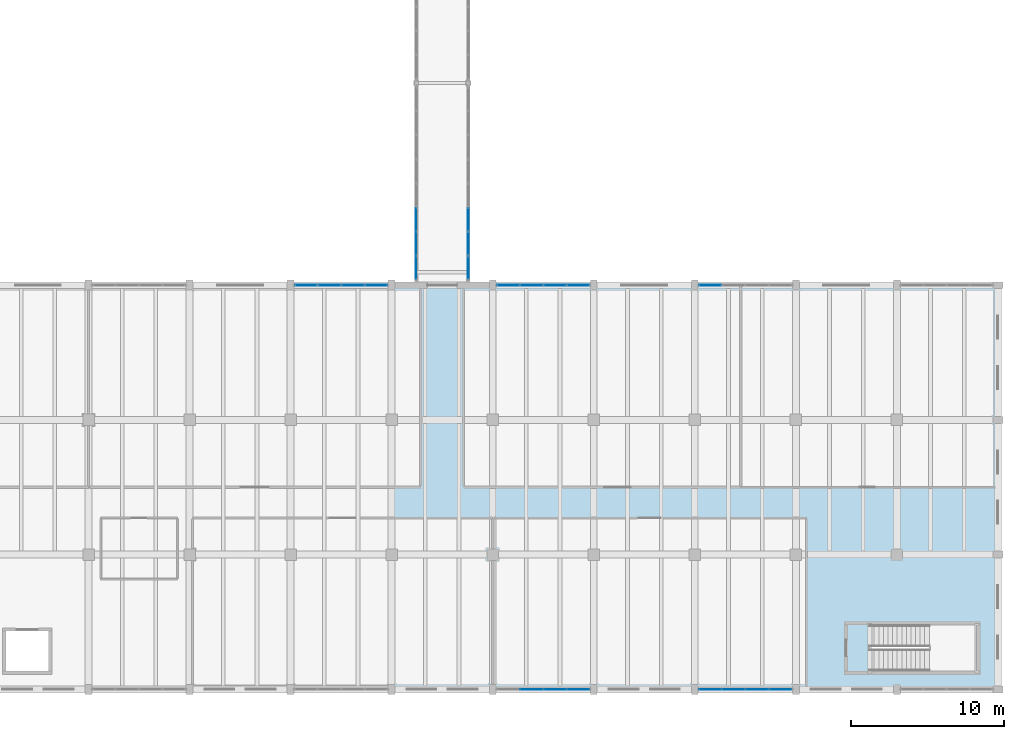
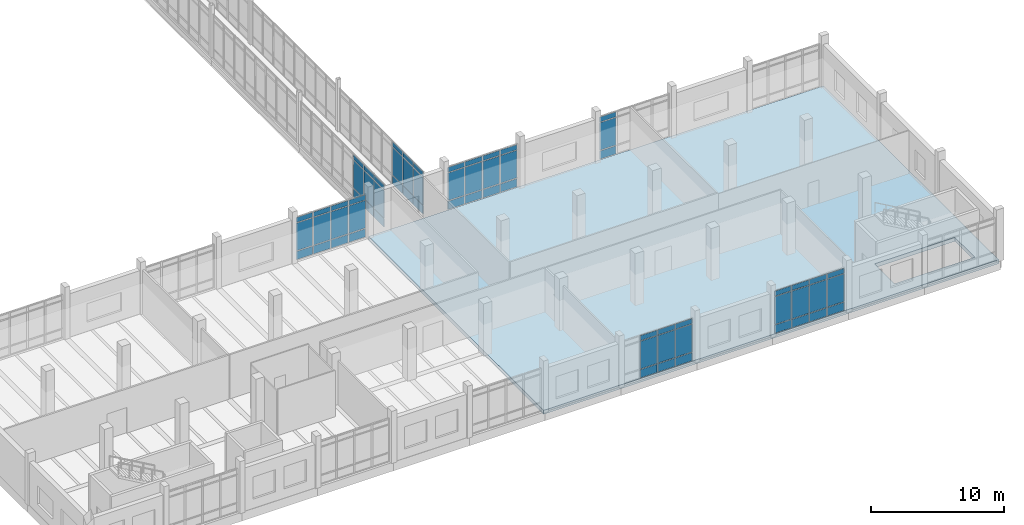
# One storey, part 73 of 125: 66 plates, 1 slab, 7 elements without a shape of their own.
"""IFC4 building model written with IfcOpenShell, lengths in metres."""

from ifc_helpers import new_model, si_unit, direction, frame, origin, origin_2d, place, context, subcontext, project, spatial, polyline, rectangle, outline, extrude, material, layer, layer_set, type_object, element, aggregate, save


model = new_model("IFC4")

# Units and contexts
model_context = context("Model", 3, precision=1e-05, world=origin(), true_north=direction((0.0, 1.0)))
body_context = subcontext(model_context, "Body", "Model", "MODEL_VIEW")
ifc_project = project(units=[si_unit("LENGTHUNIT", "METRE"), si_unit("AREAUNIT", "SQUARE_METRE"), si_unit("VOLUMEUNIT", "CUBIC_METRE"), si_unit("PLANEANGLEUNIT", "RADIAN"), si_unit("MASSUNIT", "GRAM", prefix="KILO")], contexts=[model_context])

# Site, building, storey
site_placement = place(None, origin())
site = spatial("IfcSite", under=ifc_project, at=site_placement, CompositionType="ELEMENT")
building_placement = place(site_placement, origin())
building = spatial("IfcBuilding", under=site, at=building_placement, Name="Dornvale Research Institute", CompositionType="ELEMENT")
storey_placement = place(building_placement, frame((0.0, 0.0, 5.39990234375)))
storey = spatial("IfcBuildingStorey", under=building, at=storey_placement, Name="L01", CompositionType="ELEMENT", Elevation=5.39990234375)

# Curtain wall, plates
ifc_material_1 = material(Name="Low-E Argon Double Insulating Glazing Unit", Category="glass")
curtain_wall_type_1 = type_object("IfcCurtainWallType", Name="UnitisedCurtainWall_V3_6150x4000", PredefinedType="USERDEFINED", material=ifc_material_1)
curtain_wall_1_placement = place(storey_placement, origin())
curtain_wall_1 = element("IfcCurtainWall", 1, at=curtain_wall_1_placement, inside=storey, type_object=curtain_wall_type_1, Name="L01 V3 unitised curtain wall CW-06 #32", ObjectType="UNITISED CURTAIN WALL", PredefinedType="USERDEFINED")
ifc_material_2 = material(Name="Insulated Ceramic-Frit Spandrel Glass Panel", Category="glass")
ifc_layer_1 = layer(ifc_material_2, 0.0419921875)
ifc_layer_set_1 = layer_set([ifc_layer_1], Name="Insulated Ceramic-Frit Spandrel Glass Panel")
plate_type_1 = type_object("IfcPlateType", Name="CurtainPanel_Spandrel_42", PredefinedType="CURTAIN_PANEL", material=ifc_layer_set_1)
plate_1_placement = place(storey_placement, frame((133.010009765625, 26.39990234375, 0.065185546875), z_axis=(0.0, 0.0, 1.0), x_axis=(1.0, 0.0, 0.0)))
plate_1 = element("IfcPlate", 2, at=plate_1_placement, type_object=plate_type_1, Name="CW-06 panel 1.1", PredefinedType="CURTAIN_PANEL", context=body_context, shape_type="SweptSolid", body=[
    extrude(rectangle(XDim=1.43994140625, YDim=0.0419921875, at=origin_2d()), origin(), (0.0, 0.0, 1.0), 0.75244140625),
])
plate_2_placement = place(storey_placement, frame((134.53125, 26.39990234375, 0.065185546875), z_axis=(0.0, 0.0, 1.0), x_axis=(1.0, 0.0, 0.0)))
plate_2 = element("IfcPlate", 3, at=plate_2_placement, type_object=plate_type_1, Name="CW-06 panel 2.1", PredefinedType="CURTAIN_PANEL", context=body_context, shape_type="SweptSolid", body=[
    extrude(rectangle(XDim=1.472412109375, YDim=0.0419921875, at=origin_2d()), origin(), (0.0, 0.0, 1.0), 0.75244140625),
])
plate_3_placement = place(storey_placement, frame((136.06884765625, 26.39990234375, 0.065185546875), z_axis=(0.0, 0.0, 1.0), x_axis=(1.0, 0.0, 0.0)))
plate_3 = element("IfcPlate", 4, at=plate_3_placement, type_object=plate_type_1, Name="CW-06 panel 3.1", PredefinedType="CURTAIN_PANEL", context=body_context, shape_type="SweptSolid", body=[
    extrude(rectangle(XDim=1.472412109375, YDim=0.0419921875, at=origin_2d()), origin(), (0.0, 0.0, 1.0), 0.75244140625),
])
plate_4_placement = place(storey_placement, frame((137.590087890625, 26.39990234375, 0.065185546875), z_axis=(0.0, 0.0, 1.0), x_axis=(1.0, 0.0, 0.0)))
plate_4 = element("IfcPlate", 5, at=plate_4_placement, type_object=plate_type_1, Name="CW-06 panel 4.1", PredefinedType="CURTAIN_PANEL", context=body_context, shape_type="SweptSolid", body=[
    extrude(rectangle(XDim=1.43994140625, YDim=0.0419921875, at=origin_2d()), origin(), (0.0, 0.0, 1.0), 0.75244140625),
])

curtain_wall_2_placement = place(storey_placement, origin())
curtain_wall_2 = element("IfcCurtainWall", 6, at=curtain_wall_2_placement, inside=storey, type_object=curtain_wall_type_1, Name="L01 V3 unitised curtain wall CW-06 #33", ObjectType="UNITISED CURTAIN WALL", PredefinedType="USERDEFINED")
plate_5_placement = place(storey_placement, frame((146.2099609375, 26.39990234375, 0.065185546875), z_axis=(0.0, 0.0, 1.0), x_axis=(1.0, 0.0, 0.0)))
plate_5 = element("IfcPlate", 7, at=plate_5_placement, type_object=plate_type_1, Name="CW-06 panel 1.1", PredefinedType="CURTAIN_PANEL", context=body_context, shape_type="SweptSolid", body=[
    extrude(rectangle(XDim=1.43994140625, YDim=0.0419921875, at=origin_2d()), origin(), (0.0, 0.0, 1.0), 0.75244140625),
])
plate_6_placement = place(storey_placement, frame((147.731201171875, 26.39990234375, 0.065185546875), z_axis=(0.0, 0.0, 1.0), x_axis=(1.0, 0.0, 0.0)))
plate_6 = element("IfcPlate", 8, at=plate_6_placement, type_object=plate_type_1, Name="CW-06 panel 2.1", PredefinedType="CURTAIN_PANEL", context=body_context, shape_type="SweptSolid", body=[
    extrude(rectangle(XDim=1.472412109375, YDim=0.0419921875, at=origin_2d()), origin(), (0.0, 0.0, 1.0), 0.75244140625),
])
plate_7_placement = place(storey_placement, frame((149.268798828125, 26.39990234375, 0.065185546875), z_axis=(0.0, 0.0, 1.0), x_axis=(1.0, 0.0, 0.0)))
plate_7 = element("IfcPlate", 9, at=plate_7_placement, type_object=plate_type_1, Name="CW-06 panel 3.1", PredefinedType="CURTAIN_PANEL", context=body_context, shape_type="SweptSolid", body=[
    extrude(rectangle(XDim=1.472412109375, YDim=0.0419921875, at=origin_2d()), origin(), (0.0, 0.0, 1.0), 0.75244140625),
])
plate_8_placement = place(storey_placement, frame((150.7900390625, 26.39990234375, 0.065185546875), z_axis=(0.0, 0.0, 1.0), x_axis=(1.0, 0.0, 0.0)))
plate_8 = element("IfcPlate", 10, at=plate_8_placement, type_object=plate_type_1, Name="CW-06 panel 4.1", PredefinedType="CURTAIN_PANEL", context=body_context, shape_type="SweptSolid", body=[
    extrude(rectangle(XDim=1.43994140625, YDim=0.0419921875, at=origin_2d()), origin(), (0.0, 0.0, 1.0), 0.75244140625),
])

# Curtain wall, plate
curtain_wall_3_placement = place(storey_placement, origin())
curtain_wall_3 = element("IfcCurtainWall", 11, at=curtain_wall_3_placement, inside=storey, type_object=curtain_wall_type_1, Name="L01 V3 unitised curtain wall CW-06 #34", ObjectType="UNITISED CURTAIN WALL", PredefinedType="USERDEFINED")
plate_9_placement = place(storey_placement, frame((159.409912109375, 26.39990234375, 0.065185546875), z_axis=(0.0, 0.0, 1.0), x_axis=(1.0, 0.0, 0.0)))
plate_9 = element("IfcPlate", 12, at=plate_9_placement, type_object=plate_type_1, Name="CW-06 panel 1.1", PredefinedType="CURTAIN_PANEL", context=body_context, shape_type="SweptSolid", body=[
    extrude(rectangle(XDim=1.43994140625, YDim=0.0419921875, at=origin_2d()), origin(), (0.0, 0.0, 1.0), 0.75244140625),
])

# Curtain wall, plates
curtain_wall_4_placement = place(storey_placement, origin())
curtain_wall_4 = element("IfcCurtainWall", 13, at=curtain_wall_4_placement, inside=storey, type_object=curtain_wall_type_1, Name="L01 V3 unitised curtain wall CW-06 #37", ObjectType="UNITISED CURTAIN WALL", PredefinedType="USERDEFINED")
plate_10_placement = place(storey_placement, frame((163.989990234375, 0.0, 0.065185546875), z_axis=(0.0, 0.0, 1.0), x_axis=(-1.0, 0.0, 0.0)))
plate_10 = element("IfcPlate", 14, at=plate_10_placement, type_object=plate_type_1, Name="CW-06 panel 1.1", PredefinedType="CURTAIN_PANEL", context=body_context, shape_type="SweptSolid", body=[
    extrude(rectangle(XDim=1.43994140625, YDim=0.0419921875, at=origin_2d()), origin(), (0.0, 0.0, 1.0), 0.75244140625),
])
plate_11_placement = place(storey_placement, frame((162.46875, 0.0, 0.065185546875), z_axis=(0.0, 0.0, 1.0), x_axis=(-1.0, 0.0, 0.0)))
plate_11 = element("IfcPlate", 15, at=plate_11_placement, type_object=plate_type_1, Name="CW-06 panel 2.1", PredefinedType="CURTAIN_PANEL", context=body_context, shape_type="SweptSolid", body=[
    extrude(rectangle(XDim=1.472412109375, YDim=0.0419921875, at=origin_2d()), origin(), (0.0, 0.0, 1.0), 0.75244140625),
])
plate_12_placement = place(storey_placement, frame((160.93115234375, 0.0, 0.065185546875), z_axis=(0.0, 0.0, 1.0), x_axis=(-1.0, 0.0, 0.0)))
plate_12 = element("IfcPlate", 16, at=plate_12_placement, type_object=plate_type_1, Name="CW-06 panel 3.1", PredefinedType="CURTAIN_PANEL", context=body_context, shape_type="SweptSolid", body=[
    extrude(rectangle(XDim=1.472412109375, YDim=0.0419921875, at=origin_2d()), origin(), (0.0, 0.0, 1.0), 0.75244140625),
])
plate_13_placement = place(storey_placement, frame((159.409912109375, 0.0, 0.065185546875), z_axis=(0.0, 0.0, 1.0), x_axis=(-1.0, 0.0, 0.0)))
plate_13 = element("IfcPlate", 17, at=plate_13_placement, type_object=plate_type_1, Name="CW-06 panel 4.1", PredefinedType="CURTAIN_PANEL", context=body_context, shape_type="SweptSolid", body=[
    extrude(rectangle(XDim=1.43994140625, YDim=0.0419921875, at=origin_2d()), origin(), (0.0, 0.0, 1.0), 0.75244140625),
])

curtain_wall_5_placement = place(storey_placement, origin())
curtain_wall_5 = element("IfcCurtainWall", 18, at=curtain_wall_5_placement, inside=storey, type_object=curtain_wall_type_1, Name="L01 V3 unitised curtain wall CW-06 #38", ObjectType="UNITISED CURTAIN WALL", PredefinedType="USERDEFINED")
plate_14_placement = place(storey_placement, frame((150.7900390625, 0.0, 0.065185546875), z_axis=(0.0, 0.0, 1.0), x_axis=(-1.0, 0.0, 0.0)))
plate_14 = element("IfcPlate", 19, at=plate_14_placement, type_object=plate_type_1, Name="CW-06 panel 1.1", PredefinedType="CURTAIN_PANEL", context=body_context, shape_type="SweptSolid", body=[
    extrude(rectangle(XDim=1.43994140625, YDim=0.0419921875, at=origin_2d()), origin(), (0.0, 0.0, 1.0), 0.75244140625),
])
plate_15_placement = place(storey_placement, frame((149.268798828125, 0.0, 0.065185546875), z_axis=(0.0, 0.0, 1.0), x_axis=(-1.0, 0.0, 0.0)))
plate_15 = element("IfcPlate", 20, at=plate_15_placement, type_object=plate_type_1, Name="CW-06 panel 2.1", PredefinedType="CURTAIN_PANEL", context=body_context, shape_type="SweptSolid", body=[
    extrude(rectangle(XDim=1.472412109375, YDim=0.0419921875, at=origin_2d()), origin(), (0.0, 0.0, 1.0), 0.75244140625),
])
plate_16_placement = place(storey_placement, frame((147.731201171875, 0.0, 0.065185546875), z_axis=(0.0, 0.0, 1.0), x_axis=(-1.0, 0.0, 0.0)))
plate_16 = element("IfcPlate", 21, at=plate_16_placement, type_object=plate_type_1, Name="CW-06 panel 3.1", PredefinedType="CURTAIN_PANEL", context=body_context, shape_type="SweptSolid", body=[
    extrude(rectangle(XDim=1.472412109375, YDim=0.0419921875, at=origin_2d()), origin(), (0.0, 0.0, 1.0), 0.75244140625),
])

ifc_material_3 = material(Name="Low-E Argon Double Insulating Glazing Unit", Category="glass")
curtain_wall_type_2 = type_object("IfcCurtainWallType", Name="UnitisedCurtainWall_V2_12600x4000", PredefinedType="USERDEFINED", material=ifc_material_3)
curtain_wall_6_placement = place(storey_placement, origin())
curtain_wall_6 = element("IfcCurtainWall", 22, at=curtain_wall_6_placement, inside=storey, type_object=curtain_wall_type_2, Name="L01 V2 unitised curtain wall CW-41 #231", ObjectType="UNITISED CURTAIN WALL", PredefinedType="USERDEFINED")
plate_17_placement = place(storey_placement, frame((140.199951171875, 27.5537109375, 0.065185546875), z_axis=(0.0, 0.0, 1.0), x_axis=(0.0, 1.0, 0.0)))
plate_17 = element("IfcPlate", 23, at=plate_17_placement, type_object=plate_type_1, Name="CW-41 panel 1.1", PredefinedType="CURTAIN_PANEL", context=body_context, shape_type="SweptSolid", body=[
    extrude(rectangle(XDim=1.4775390625, YDim=0.0419921875, at=origin_2d()), origin(), (0.0, 0.0, 1.0), 0.75244140625),
])
plate_18_placement = place(storey_placement, frame((140.199951171875, 29.112548828125, 0.065185546875), z_axis=(0.0, 0.0, 1.0), x_axis=(0.0, 1.0, 0.0)))
plate_18 = element("IfcPlate", 24, at=plate_18_placement, type_object=plate_type_1, Name="CW-41 panel 2.1", PredefinedType="CURTAIN_PANEL", context=body_context, shape_type="SweptSolid", body=[
    extrude(rectangle(XDim=1.510009765625, YDim=0.0419921875, at=origin_2d()), origin(), (0.0, 0.0, 1.0), 0.75244140625),
])
plate_19_placement = place(storey_placement, frame((140.199951171875, 30.6875, 0.065185546875), z_axis=(0.0, 0.0, 1.0), x_axis=(0.0, 1.0, 0.0)))
plate_19 = element("IfcPlate", 25, at=plate_19_placement, type_object=plate_type_1, Name="CW-41 panel 3.1", PredefinedType="CURTAIN_PANEL", context=body_context, shape_type="SweptSolid", body=[
    extrude(rectangle(XDim=1.510009765625, YDim=0.0419921875, at=origin_2d()), origin(), (0.0, 0.0, 1.0), 0.75244140625),
])

curtain_wall_7_placement = place(storey_placement, origin())
curtain_wall_7 = element("IfcCurtainWall", 26, at=curtain_wall_7_placement, inside=storey, type_object=curtain_wall_type_2, Name="L01 V2 unitised curtain wall CW-41 #232", ObjectType="UNITISED CURTAIN WALL", PredefinedType="USERDEFINED")
plate_20_placement = place(storey_placement, frame((143.60009765625, 30.6875, 0.065185546875), z_axis=(0.0, 0.0, 1.0), x_axis=(0.0, -1.0, 0.0)))
plate_20 = element("IfcPlate", 27, at=plate_20_placement, type_object=plate_type_1, Name="CW-41 panel 6.1", PredefinedType="CURTAIN_PANEL", context=body_context, shape_type="SweptSolid", body=[
    extrude(rectangle(XDim=1.510009765625, YDim=0.0419921875, at=origin_2d()), origin(), (0.0, 0.0, 1.0), 0.75244140625),
])
plate_21_placement = place(storey_placement, frame((143.60009765625, 29.112548828125, 0.065185546875), z_axis=(0.0, 0.0, 1.0), x_axis=(0.0, -1.0, 0.0)))
plate_21 = element("IfcPlate", 28, at=plate_21_placement, type_object=plate_type_1, Name="CW-41 panel 7.1", PredefinedType="CURTAIN_PANEL", context=body_context, shape_type="SweptSolid", body=[
    extrude(rectangle(XDim=1.510009765625, YDim=0.0419921875, at=origin_2d()), origin(), (0.0, 0.0, 1.0), 0.75244140625),
])
plate_22_placement = place(storey_placement, frame((143.60009765625, 27.5537109375, 0.065185546875), z_axis=(0.0, 0.0, 1.0), x_axis=(0.0, -1.0, 0.0)))
plate_22 = element("IfcPlate", 29, at=plate_22_placement, type_object=plate_type_1, Name="CW-41 panel 8.1", PredefinedType="CURTAIN_PANEL", context=body_context, shape_type="SweptSolid", body=[
    extrude(rectangle(XDim=1.4775390625, YDim=0.0419921875, at=origin_2d()), origin(), (0.0, 0.0, 1.0), 0.75244140625),
])

# Plate
ifc_material_4 = material(Name="Low-E Argon Double Insulating Glazing Unit", Category="glass")
ifc_layer_2 = layer(ifc_material_4, 0.028076171875)
ifc_layer_set_2 = layer_set([ifc_layer_2], Name="Low-E Argon Double Insulating Glazing Unit")
plate_type_2 = type_object("IfcPlateType", Name="CurtainPanel_Vision_28", PredefinedType="CURTAIN_PANEL", material=ifc_layer_set_2)
plate_23_placement = place(storey_placement, frame((133.010009765625, 26.39990234375, 0.8828125), z_axis=(0.0, 0.0, 1.0), x_axis=(1.0, 0.0, 0.0)))
plate_23 = element("IfcPlate", 30, at=plate_23_placement, type_object=plate_type_2, Name="CW-06 panel 1.2", PredefinedType="CURTAIN_PANEL", context=body_context, shape_type="SweptSolid", body=[
    extrude(rectangle(XDim=1.43994140625, YDim=0.028076171875, at=origin_2d()), origin(), (0.0, 0.0, 1.0), 2.534912109375),
])

plate_24_placement = place(storey_placement, frame((133.010009765625, 26.39990234375, 3.482421875), z_axis=(0.0, 0.0, 1.0), x_axis=(1.0, 0.0, 0.0)))
plate_24 = element("IfcPlate", 31, at=plate_24_placement, type_object=plate_type_2, Name="CW-06 panel 1.3", PredefinedType="CURTAIN_PANEL", context=body_context, shape_type="SweptSolid", body=[
    extrude(rectangle(XDim=1.43994140625, YDim=0.028076171875, at=origin_2d()), origin(), (0.0, 0.0, 1.0), 0.452392578125),
])

plate_25_placement = place(storey_placement, frame((134.53125, 26.39990234375, 0.8828125), z_axis=(0.0, 0.0, 1.0), x_axis=(1.0, 0.0, 0.0)))
plate_25 = element("IfcPlate", 32, at=plate_25_placement, type_object=plate_type_2, Name="CW-06 panel 2.2", PredefinedType="CURTAIN_PANEL", context=body_context, shape_type="SweptSolid", body=[
    extrude(rectangle(XDim=1.472412109375, YDim=0.028076171875, at=origin_2d()), origin(), (0.0, 0.0, 1.0), 2.534912109375),
])

plate_26_placement = place(storey_placement, frame((134.53125, 26.39990234375, 3.482421875), z_axis=(0.0, 0.0, 1.0), x_axis=(1.0, 0.0, 0.0)))
plate_26 = element("IfcPlate", 33, at=plate_26_placement, type_object=plate_type_2, Name="CW-06 panel 2.3", PredefinedType="CURTAIN_PANEL", context=body_context, shape_type="SweptSolid", body=[
    extrude(rectangle(XDim=1.472412109375, YDim=0.028076171875, at=origin_2d()), origin(), (0.0, 0.0, 1.0), 0.452392578125),
])

plate_27_placement = place(storey_placement, frame((136.06884765625, 26.39990234375, 0.8828125), z_axis=(0.0, 0.0, 1.0), x_axis=(1.0, 0.0, 0.0)))
plate_27 = element("IfcPlate", 34, at=plate_27_placement, type_object=plate_type_2, Name="CW-06 panel 3.2", PredefinedType="CURTAIN_PANEL", context=body_context, shape_type="SweptSolid", body=[
    extrude(rectangle(XDim=1.472412109375, YDim=0.028076171875, at=origin_2d()), origin(), (0.0, 0.0, 1.0), 2.534912109375),
])

plate_28_placement = place(storey_placement, frame((136.06884765625, 26.39990234375, 3.482421875), z_axis=(0.0, 0.0, 1.0), x_axis=(1.0, 0.0, 0.0)))
plate_28 = element("IfcPlate", 35, at=plate_28_placement, type_object=plate_type_2, Name="CW-06 panel 3.3", PredefinedType="CURTAIN_PANEL", context=body_context, shape_type="SweptSolid", body=[
    extrude(rectangle(XDim=1.472412109375, YDim=0.028076171875, at=origin_2d()), origin(), (0.0, 0.0, 1.0), 0.452392578125),
])

plate_29_placement = place(storey_placement, frame((137.590087890625, 26.39990234375, 0.8828125), z_axis=(0.0, 0.0, 1.0), x_axis=(1.0, 0.0, 0.0)))
plate_29 = element("IfcPlate", 36, at=plate_29_placement, type_object=plate_type_2, Name="CW-06 panel 4.2", PredefinedType="CURTAIN_PANEL", context=body_context, shape_type="SweptSolid", body=[
    extrude(rectangle(XDim=1.43994140625, YDim=0.028076171875, at=origin_2d()), origin(), (0.0, 0.0, 1.0), 2.534912109375),
])

plate_30_placement = place(storey_placement, frame((137.590087890625, 26.39990234375, 3.482421875), z_axis=(0.0, 0.0, 1.0), x_axis=(1.0, 0.0, 0.0)))
plate_30 = element("IfcPlate", 37, at=plate_30_placement, type_object=plate_type_2, Name="CW-06 panel 4.3", PredefinedType="CURTAIN_PANEL", context=body_context, shape_type="SweptSolid", body=[
    extrude(rectangle(XDim=1.43994140625, YDim=0.028076171875, at=origin_2d()), origin(), (0.0, 0.0, 1.0), 0.452392578125),
])

aggregate(curtain_wall_1, [plate_1, plate_23, plate_24, plate_2, plate_25, plate_26, plate_3, plate_27, plate_28, plate_4, plate_29, plate_30])

plate_31_placement = place(storey_placement, frame((146.2099609375, 26.39990234375, 0.8828125), z_axis=(0.0, 0.0, 1.0), x_axis=(1.0, 0.0, 0.0)))
plate_31 = element("IfcPlate", 38, at=plate_31_placement, type_object=plate_type_2, Name="CW-06 panel 1.2", PredefinedType="CURTAIN_PANEL", context=body_context, shape_type="SweptSolid", body=[
    extrude(rectangle(XDim=1.43994140625, YDim=0.028076171875, at=origin_2d()), origin(), (0.0, 0.0, 1.0), 2.534912109375),
])

plate_32_placement = place(storey_placement, frame((146.2099609375, 26.39990234375, 3.482421875), z_axis=(0.0, 0.0, 1.0), x_axis=(1.0, 0.0, 0.0)))
plate_32 = element("IfcPlate", 39, at=plate_32_placement, type_object=plate_type_2, Name="CW-06 panel 1.3", PredefinedType="CURTAIN_PANEL", context=body_context, shape_type="SweptSolid", body=[
    extrude(rectangle(XDim=1.43994140625, YDim=0.028076171875, at=origin_2d()), origin(), (0.0, 0.0, 1.0), 0.452392578125),
])

plate_33_placement = place(storey_placement, frame((147.731201171875, 26.39990234375, 0.8828125), z_axis=(0.0, 0.0, 1.0), x_axis=(1.0, 0.0, 0.0)))
plate_33 = element("IfcPlate", 40, at=plate_33_placement, type_object=plate_type_2, Name="CW-06 panel 2.2", PredefinedType="CURTAIN_PANEL", context=body_context, shape_type="SweptSolid", body=[
    extrude(rectangle(XDim=1.472412109375, YDim=0.028076171875, at=origin_2d()), origin(), (0.0, 0.0, 1.0), 2.534912109375),
])

plate_34_placement = place(storey_placement, frame((147.731201171875, 26.39990234375, 3.482421875), z_axis=(0.0, 0.0, 1.0), x_axis=(1.0, 0.0, 0.0)))
plate_34 = element("IfcPlate", 41, at=plate_34_placement, type_object=plate_type_2, Name="CW-06 panel 2.3", PredefinedType="CURTAIN_PANEL", context=body_context, shape_type="SweptSolid", body=[
    extrude(rectangle(XDim=1.472412109375, YDim=0.028076171875, at=origin_2d()), origin(), (0.0, 0.0, 1.0), 0.452392578125),
])

plate_35_placement = place(storey_placement, frame((149.268798828125, 26.39990234375, 0.8828125), z_axis=(0.0, 0.0, 1.0), x_axis=(1.0, 0.0, 0.0)))
plate_35 = element("IfcPlate", 42, at=plate_35_placement, type_object=plate_type_2, Name="CW-06 panel 3.2", PredefinedType="CURTAIN_PANEL", context=body_context, shape_type="SweptSolid", body=[
    extrude(rectangle(XDim=1.472412109375, YDim=0.028076171875, at=origin_2d()), origin(), (0.0, 0.0, 1.0), 2.534912109375),
])

plate_36_placement = place(storey_placement, frame((149.268798828125, 26.39990234375, 3.482421875), z_axis=(0.0, 0.0, 1.0), x_axis=(1.0, 0.0, 0.0)))
plate_36 = element("IfcPlate", 43, at=plate_36_placement, type_object=plate_type_2, Name="CW-06 panel 3.3", PredefinedType="CURTAIN_PANEL", context=body_context, shape_type="SweptSolid", body=[
    extrude(rectangle(XDim=1.472412109375, YDim=0.028076171875, at=origin_2d()), origin(), (0.0, 0.0, 1.0), 0.452392578125),
])

plate_37_placement = place(storey_placement, frame((150.7900390625, 26.39990234375, 0.8828125), z_axis=(0.0, 0.0, 1.0), x_axis=(1.0, 0.0, 0.0)))
plate_37 = element("IfcPlate", 44, at=plate_37_placement, type_object=plate_type_2, Name="CW-06 panel 4.2", PredefinedType="CURTAIN_PANEL", context=body_context, shape_type="SweptSolid", body=[
    extrude(rectangle(XDim=1.43994140625, YDim=0.028076171875, at=origin_2d()), origin(), (0.0, 0.0, 1.0), 2.534912109375),
])

plate_38_placement = place(storey_placement, frame((150.7900390625, 26.39990234375, 3.482421875), z_axis=(0.0, 0.0, 1.0), x_axis=(1.0, 0.0, 0.0)))
plate_38 = element("IfcPlate", 45, at=plate_38_placement, type_object=plate_type_2, Name="CW-06 panel 4.3", PredefinedType="CURTAIN_PANEL", context=body_context, shape_type="SweptSolid", body=[
    extrude(rectangle(XDim=1.43994140625, YDim=0.028076171875, at=origin_2d()), origin(), (0.0, 0.0, 1.0), 0.452392578125),
])

aggregate(curtain_wall_2, [plate_5, plate_31, plate_32, plate_6, plate_33, plate_34, plate_7, plate_35, plate_36, plate_8, plate_37, plate_38])

plate_39_placement = place(storey_placement, frame((159.409912109375, 26.39990234375, 0.8828125), z_axis=(0.0, 0.0, 1.0), x_axis=(1.0, 0.0, 0.0)))
plate_39 = element("IfcPlate", 46, at=plate_39_placement, type_object=plate_type_2, Name="CW-06 panel 1.2", PredefinedType="CURTAIN_PANEL", context=body_context, shape_type="SweptSolid", body=[
    extrude(rectangle(XDim=1.43994140625, YDim=0.028076171875, at=origin_2d()), origin(), (0.0, 0.0, 1.0), 2.534912109375),
])

plate_40_placement = place(storey_placement, frame((159.409912109375, 26.39990234375, 3.482421875), z_axis=(0.0, 0.0, 1.0), x_axis=(1.0, 0.0, 0.0)))
plate_40 = element("IfcPlate", 47, at=plate_40_placement, type_object=plate_type_2, Name="CW-06 panel 1.3", PredefinedType="CURTAIN_PANEL", context=body_context, shape_type="SweptSolid", body=[
    extrude(rectangle(XDim=1.43994140625, YDim=0.028076171875, at=origin_2d()), origin(), (0.0, 0.0, 1.0), 0.452392578125),
])

aggregate(curtain_wall_3, [plate_9, plate_39, plate_40])

plate_41_placement = place(storey_placement, frame((163.989990234375, 0.0, 0.8828125), z_axis=(0.0, 0.0, 1.0), x_axis=(-1.0, 0.0, 0.0)))
plate_41 = element("IfcPlate", 48, at=plate_41_placement, type_object=plate_type_2, Name="CW-06 panel 1.2", PredefinedType="CURTAIN_PANEL", context=body_context, shape_type="SweptSolid", body=[
    extrude(rectangle(XDim=1.43994140625, YDim=0.028076171875, at=origin_2d()), origin(), (0.0, 0.0, 1.0), 2.534912109375),
])

plate_42_placement = place(storey_placement, frame((163.989990234375, 0.0, 3.482421875), z_axis=(0.0, 0.0, 1.0), x_axis=(-1.0, 0.0, 0.0)))
plate_42 = element("IfcPlate", 49, at=plate_42_placement, type_object=plate_type_2, Name="CW-06 panel 1.3", PredefinedType="CURTAIN_PANEL", context=body_context, shape_type="SweptSolid", body=[
    extrude(rectangle(XDim=1.43994140625, YDim=0.028076171875, at=origin_2d()), origin(), (0.0, 0.0, 1.0), 0.452392578125),
])

plate_43_placement = place(storey_placement, frame((162.46875, 0.0, 0.8828125), z_axis=(0.0, 0.0, 1.0), x_axis=(-1.0, 0.0, 0.0)))
plate_43 = element("IfcPlate", 50, at=plate_43_placement, type_object=plate_type_2, Name="CW-06 panel 2.2", PredefinedType="CURTAIN_PANEL", context=body_context, shape_type="SweptSolid", body=[
    extrude(rectangle(XDim=1.472412109375, YDim=0.028076171875, at=origin_2d()), origin(), (0.0, 0.0, 1.0), 2.534912109375),
])

plate_44_placement = place(storey_placement, frame((162.46875, 0.0, 3.482421875), z_axis=(0.0, 0.0, 1.0), x_axis=(-1.0, 0.0, 0.0)))
plate_44 = element("IfcPlate", 51, at=plate_44_placement, type_object=plate_type_2, Name="CW-06 panel 2.3", PredefinedType="CURTAIN_PANEL", context=body_context, shape_type="SweptSolid", body=[
    extrude(rectangle(XDim=1.472412109375, YDim=0.028076171875, at=origin_2d()), origin(), (0.0, 0.0, 1.0), 0.452392578125),
])

plate_45_placement = place(storey_placement, frame((160.93115234375, 0.0, 0.8828125), z_axis=(0.0, 0.0, 1.0), x_axis=(-1.0, 0.0, 0.0)))
plate_45 = element("IfcPlate", 52, at=plate_45_placement, type_object=plate_type_2, Name="CW-06 panel 3.2", PredefinedType="CURTAIN_PANEL", context=body_context, shape_type="SweptSolid", body=[
    extrude(rectangle(XDim=1.472412109375, YDim=0.028076171875, at=origin_2d()), origin(), (0.0, 0.0, 1.0), 2.534912109375),
])

plate_46_placement = place(storey_placement, frame((160.93115234375, 0.0, 3.482421875), z_axis=(0.0, 0.0, 1.0), x_axis=(-1.0, 0.0, 0.0)))
plate_46 = element("IfcPlate", 53, at=plate_46_placement, type_object=plate_type_2, Name="CW-06 panel 3.3", PredefinedType="CURTAIN_PANEL", context=body_context, shape_type="SweptSolid", body=[
    extrude(rectangle(XDim=1.472412109375, YDim=0.028076171875, at=origin_2d()), origin(), (0.0, 0.0, 1.0), 0.452392578125),
])

plate_47_placement = place(storey_placement, frame((159.409912109375, 0.0, 0.8828125), z_axis=(0.0, 0.0, 1.0), x_axis=(-1.0, 0.0, 0.0)))
plate_47 = element("IfcPlate", 54, at=plate_47_placement, type_object=plate_type_2, Name="CW-06 panel 4.2", PredefinedType="CURTAIN_PANEL", context=body_context, shape_type="SweptSolid", body=[
    extrude(rectangle(XDim=1.43994140625, YDim=0.028076171875, at=origin_2d()), origin(), (0.0, 0.0, 1.0), 2.534912109375),
])

plate_48_placement = place(storey_placement, frame((159.409912109375, 0.0, 3.482421875), z_axis=(0.0, 0.0, 1.0), x_axis=(-1.0, 0.0, 0.0)))
plate_48 = element("IfcPlate", 55, at=plate_48_placement, type_object=plate_type_2, Name="CW-06 panel 4.3", PredefinedType="CURTAIN_PANEL", context=body_context, shape_type="SweptSolid", body=[
    extrude(rectangle(XDim=1.43994140625, YDim=0.028076171875, at=origin_2d()), origin(), (0.0, 0.0, 1.0), 0.452392578125),
])

aggregate(curtain_wall_4, [plate_10, plate_41, plate_42, plate_11, plate_43, plate_44, plate_12, plate_45, plate_46, plate_13, plate_47, plate_48])

plate_49_placement = place(storey_placement, frame((150.7900390625, 0.0, 0.8828125), z_axis=(0.0, 0.0, 1.0), x_axis=(-1.0, 0.0, 0.0)))
plate_49 = element("IfcPlate", 56, at=plate_49_placement, type_object=plate_type_2, Name="CW-06 panel 1.2", PredefinedType="CURTAIN_PANEL", context=body_context, shape_type="SweptSolid", body=[
    extrude(rectangle(XDim=1.43994140625, YDim=0.028076171875, at=origin_2d()), origin(), (0.0, 0.0, 1.0), 2.534912109375),
])

plate_50_placement = place(storey_placement, frame((150.7900390625, 0.0, 3.482421875), z_axis=(0.0, 0.0, 1.0), x_axis=(-1.0, 0.0, 0.0)))
plate_50 = element("IfcPlate", 57, at=plate_50_placement, type_object=plate_type_2, Name="CW-06 panel 1.3", PredefinedType="CURTAIN_PANEL", context=body_context, shape_type="SweptSolid", body=[
    extrude(rectangle(XDim=1.43994140625, YDim=0.028076171875, at=origin_2d()), origin(), (0.0, 0.0, 1.0), 0.452392578125),
])

plate_51_placement = place(storey_placement, frame((149.268798828125, 0.0, 0.8828125), z_axis=(0.0, 0.0, 1.0), x_axis=(-1.0, 0.0, 0.0)))
plate_51 = element("IfcPlate", 58, at=plate_51_placement, type_object=plate_type_2, Name="CW-06 panel 2.2", PredefinedType="CURTAIN_PANEL", context=body_context, shape_type="SweptSolid", body=[
    extrude(rectangle(XDim=1.472412109375, YDim=0.028076171875, at=origin_2d()), origin(), (0.0, 0.0, 1.0), 2.534912109375),
])

plate_52_placement = place(storey_placement, frame((149.268798828125, 0.0, 3.482421875), z_axis=(0.0, 0.0, 1.0), x_axis=(-1.0, 0.0, 0.0)))
plate_52 = element("IfcPlate", 59, at=plate_52_placement, type_object=plate_type_2, Name="CW-06 panel 2.3", PredefinedType="CURTAIN_PANEL", context=body_context, shape_type="SweptSolid", body=[
    extrude(rectangle(XDim=1.472412109375, YDim=0.028076171875, at=origin_2d()), origin(), (0.0, 0.0, 1.0), 0.452392578125),
])

plate_53_placement = place(storey_placement, frame((147.731201171875, 0.0, 0.8828125), z_axis=(0.0, 0.0, 1.0), x_axis=(-1.0, 0.0, 0.0)))
plate_53 = element("IfcPlate", 60, at=plate_53_placement, type_object=plate_type_2, Name="CW-06 panel 3.2", PredefinedType="CURTAIN_PANEL", context=body_context, shape_type="SweptSolid", body=[
    extrude(rectangle(XDim=1.472412109375, YDim=0.028076171875, at=origin_2d()), origin(), (0.0, 0.0, 1.0), 2.534912109375),
])

plate_54_placement = place(storey_placement, frame((147.731201171875, 0.0, 3.482421875), z_axis=(0.0, 0.0, 1.0), x_axis=(-1.0, 0.0, 0.0)))
plate_54 = element("IfcPlate", 61, at=plate_54_placement, type_object=plate_type_2, Name="CW-06 panel 3.3", PredefinedType="CURTAIN_PANEL", context=body_context, shape_type="SweptSolid", body=[
    extrude(rectangle(XDim=1.472412109375, YDim=0.028076171875, at=origin_2d()), origin(), (0.0, 0.0, 1.0), 0.452392578125),
])

aggregate(curtain_wall_5, [plate_14, plate_49, plate_50, plate_15, plate_51, plate_52, plate_16, plate_53, plate_54])

plate_55_placement = place(storey_placement, frame((140.199951171875, 27.5537109375, 0.8828125), z_axis=(0.0, 0.0, 1.0), x_axis=(0.0, 1.0, 0.0)))
plate_55 = element("IfcPlate", 62, at=plate_55_placement, type_object=plate_type_2, Name="CW-41 panel 1.2", PredefinedType="CURTAIN_PANEL", context=body_context, shape_type="SweptSolid", body=[
    extrude(rectangle(XDim=1.4775390625, YDim=0.028076171875, at=origin_2d()), origin(), (0.0, 0.0, 1.0), 2.534912109375),
])

plate_56_placement = place(storey_placement, frame((140.199951171875, 27.5537109375, 3.482421875), z_axis=(0.0, 0.0, 1.0), x_axis=(0.0, 1.0, 0.0)))
plate_56 = element("IfcPlate", 63, at=plate_56_placement, type_object=plate_type_2, Name="CW-41 panel 1.3", PredefinedType="CURTAIN_PANEL", context=body_context, shape_type="SweptSolid", body=[
    extrude(rectangle(XDim=1.4775390625, YDim=0.028076171875, at=origin_2d()), origin(), (0.0, 0.0, 1.0), 0.452392578125),
])

plate_57_placement = place(storey_placement, frame((140.199951171875, 29.112548828125, 0.8828125), z_axis=(0.0, 0.0, 1.0), x_axis=(0.0, 1.0, 0.0)))
plate_57 = element("IfcPlate", 64, at=plate_57_placement, type_object=plate_type_2, Name="CW-41 panel 2.2", PredefinedType="CURTAIN_PANEL", context=body_context, shape_type="SweptSolid", body=[
    extrude(rectangle(XDim=1.510009765625, YDim=0.028076171875, at=origin_2d()), origin(), (0.0, 0.0, 1.0), 2.534912109375),
])

plate_58_placement = place(storey_placement, frame((140.199951171875, 29.112548828125, 3.482421875), z_axis=(0.0, 0.0, 1.0), x_axis=(0.0, 1.0, 0.0)))
plate_58 = element("IfcPlate", 65, at=plate_58_placement, type_object=plate_type_2, Name="CW-41 panel 2.3", PredefinedType="CURTAIN_PANEL", context=body_context, shape_type="SweptSolid", body=[
    extrude(rectangle(XDim=1.510009765625, YDim=0.028076171875, at=origin_2d()), origin(), (0.0, 0.0, 1.0), 0.452392578125),
])

plate_59_placement = place(storey_placement, frame((140.199951171875, 30.6875, 0.8828125), z_axis=(0.0, 0.0, 1.0), x_axis=(0.0, 1.0, 0.0)))
plate_59 = element("IfcPlate", 66, at=plate_59_placement, type_object=plate_type_2, Name="CW-41 panel 3.2", PredefinedType="CURTAIN_PANEL", context=body_context, shape_type="SweptSolid", body=[
    extrude(rectangle(XDim=1.510009765625, YDim=0.028076171875, at=origin_2d()), origin(), (0.0, 0.0, 1.0), 2.534912109375),
])

plate_60_placement = place(storey_placement, frame((140.199951171875, 30.6875, 3.482421875), z_axis=(0.0, 0.0, 1.0), x_axis=(0.0, 1.0, 0.0)))
plate_60 = element("IfcPlate", 67, at=plate_60_placement, type_object=plate_type_2, Name="CW-41 panel 3.3", PredefinedType="CURTAIN_PANEL", context=body_context, shape_type="SweptSolid", body=[
    extrude(rectangle(XDim=1.510009765625, YDim=0.028076171875, at=origin_2d()), origin(), (0.0, 0.0, 1.0), 0.452392578125),
])

aggregate(curtain_wall_6, [plate_17, plate_55, plate_56, plate_18, plate_57, plate_58, plate_19, plate_59, plate_60])

plate_61_placement = place(storey_placement, frame((143.60009765625, 30.6875, 0.8828125), z_axis=(0.0, 0.0, 1.0), x_axis=(0.0, -1.0, 0.0)))
plate_61 = element("IfcPlate", 68, at=plate_61_placement, type_object=plate_type_2, Name="CW-41 panel 6.2", PredefinedType="CURTAIN_PANEL", context=body_context, shape_type="SweptSolid", body=[
    extrude(rectangle(XDim=1.510009765625, YDim=0.028076171875, at=origin_2d()), origin(), (0.0, 0.0, 1.0), 2.534912109375),
])

plate_62_placement = place(storey_placement, frame((143.60009765625, 30.6875, 3.482421875), z_axis=(0.0, 0.0, 1.0), x_axis=(0.0, -1.0, 0.0)))
plate_62 = element("IfcPlate", 69, at=plate_62_placement, type_object=plate_type_2, Name="CW-41 panel 6.3", PredefinedType="CURTAIN_PANEL", context=body_context, shape_type="SweptSolid", body=[
    extrude(rectangle(XDim=1.510009765625, YDim=0.028076171875, at=origin_2d()), origin(), (0.0, 0.0, 1.0), 0.452392578125),
])

plate_63_placement = place(storey_placement, frame((143.60009765625, 29.112548828125, 0.8828125), z_axis=(0.0, 0.0, 1.0), x_axis=(0.0, -1.0, 0.0)))
plate_63 = element("IfcPlate", 70, at=plate_63_placement, type_object=plate_type_2, Name="CW-41 panel 7.2", PredefinedType="CURTAIN_PANEL", context=body_context, shape_type="SweptSolid", body=[
    extrude(rectangle(XDim=1.510009765625, YDim=0.028076171875, at=origin_2d()), origin(), (0.0, 0.0, 1.0), 2.534912109375),
])

plate_64_placement = place(storey_placement, frame((143.60009765625, 29.112548828125, 3.482421875), z_axis=(0.0, 0.0, 1.0), x_axis=(0.0, -1.0, 0.0)))
plate_64 = element("IfcPlate", 71, at=plate_64_placement, type_object=plate_type_2, Name="CW-41 panel 7.3", PredefinedType="CURTAIN_PANEL", context=body_context, shape_type="SweptSolid", body=[
    extrude(rectangle(XDim=1.510009765625, YDim=0.028076171875, at=origin_2d()), origin(), (0.0, 0.0, 1.0), 0.452392578125),
])

plate_65_placement = place(storey_placement, frame((143.60009765625, 27.5537109375, 0.8828125), z_axis=(0.0, 0.0, 1.0), x_axis=(0.0, -1.0, 0.0)))
plate_65 = element("IfcPlate", 72, at=plate_65_placement, type_object=plate_type_2, Name="CW-41 panel 8.2", PredefinedType="CURTAIN_PANEL", context=body_context, shape_type="SweptSolid", body=[
    extrude(rectangle(XDim=1.4775390625, YDim=0.028076171875, at=origin_2d()), origin(), (0.0, 0.0, 1.0), 2.534912109375),
])

plate_66_placement = place(storey_placement, frame((143.60009765625, 27.5537109375, 3.482421875), z_axis=(0.0, 0.0, 1.0), x_axis=(0.0, -1.0, 0.0)))
plate_66 = element("IfcPlate", 73, at=plate_66_placement, type_object=plate_type_2, Name="CW-41 panel 8.3", PredefinedType="CURTAIN_PANEL", context=body_context, shape_type="SweptSolid", body=[
    extrude(rectangle(XDim=1.4775390625, YDim=0.028076171875, at=origin_2d()), origin(), (0.0, 0.0, 1.0), 0.452392578125),
])

aggregate(curtain_wall_7, [plate_20, plate_61, plate_62, plate_21, plate_63, plate_64, plate_22, plate_65, plate_66])

# Slab
ifc_material_5 = material(Name="Concrete f'c 45 MPa (C35/45)", Category="concrete")
ifc_layer_3 = layer(ifc_material_5, 0.360107421875)
ifc_layer_set_3 = layer_set([ifc_layer_3], Name="Concrete f'c 45 MPa (C35/45)")
slab_type = type_object("IfcSlabType", Name="FloorSlab_Cleanroom_360", PredefinedType="FLOOR", material=ifc_layer_set_3)
slab_placement = place(storey_placement, frame((0.0, 0.0, -0.35986328125)))
element("IfcSlab", 74, at=slab_placement, inside=storey, type_object=slab_type, Name="L01 V3 E floor slab", PredefinedType="FLOOR", context=body_context, shape_type="SweptSolid", body=[
    extrude(outline(polyline([(178.199951171875, 26.39990234375), (178.199951171875, 0.0), (138.60009765625, 0.0), (138.60009765625, 26.39990234375), (178.199951171875, 26.39990234375)]), holes=[polyline([(169.820068359375, 1.199951171875), (176.800048828125, 1.199951171875), (176.800048828125, 4.199951171875), (169.820068359375, 4.199951171875), (169.820068359375, 1.199951171875)])]), origin(), (0.0, 0.0, 1.0), 0.35986328125),
])

save(model, "model.ifc")
